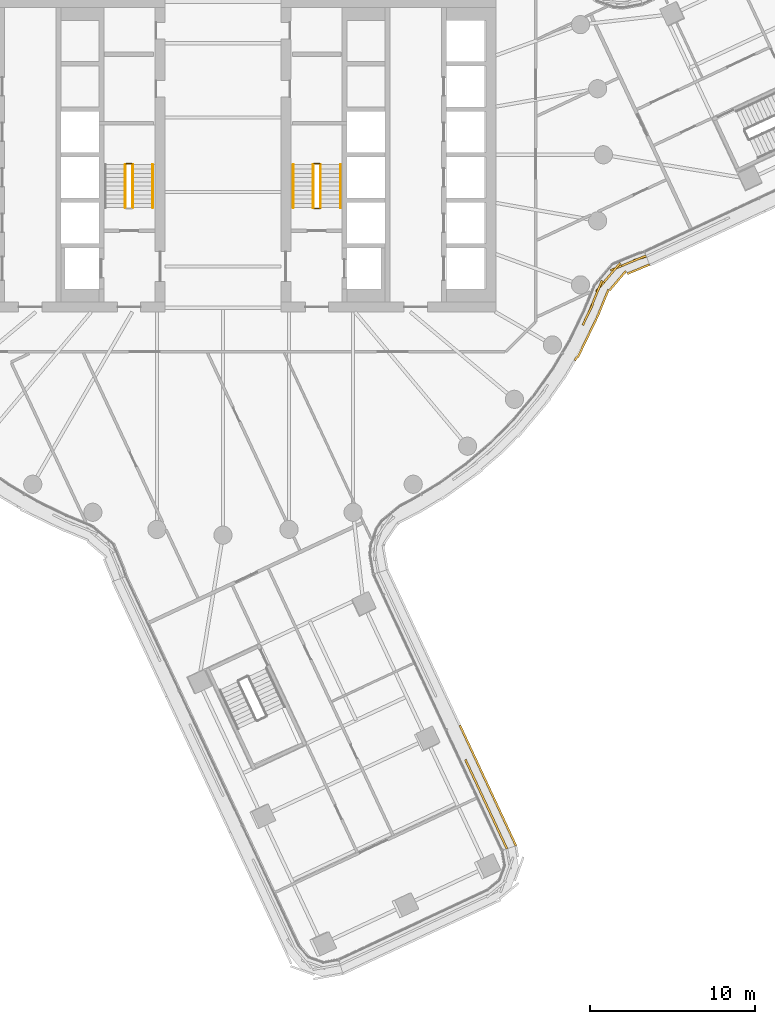
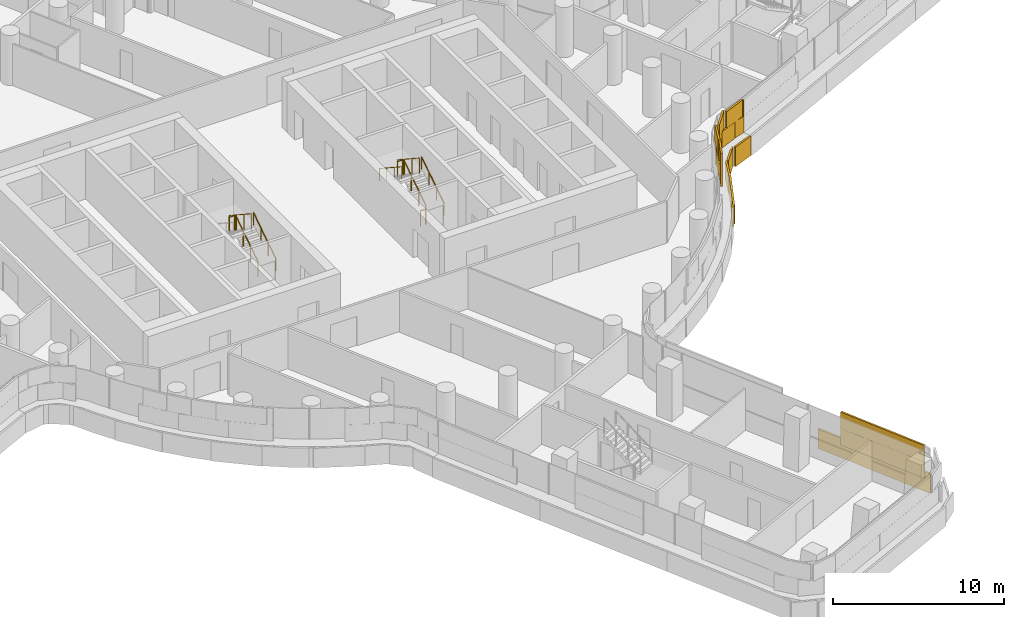
# One storey, part 32 of 36: 10 railings, 2 coverings.
"""IFC4 building model written with IfcOpenShell, lengths in metres."""

from ifc_helpers import new_model, si_unit, direction, frame, origin, origin_2d, place, context, subcontext, project, spatial, rectangle, circle, extrude, material, layer, layer_set, type_object, element, save


model = new_model("IFC4")

# Units and contexts
model_context = context("Model", 3, precision=1e-05, world=origin(), true_north=direction((0.0, 1.0)))
body_context = subcontext(model_context, "Body", "Model", "MODEL_VIEW")
ifc_project = project(units=[si_unit("LENGTHUNIT", "METRE"), si_unit("AREAUNIT", "SQUARE_METRE"), si_unit("VOLUMEUNIT", "CUBIC_METRE"), si_unit("PLANEANGLEUNIT", "RADIAN"), si_unit("MASSUNIT", "GRAM", prefix="KILO")], contexts=[model_context])

# Site, building, storey
site_placement = place(None, origin())
site = spatial("IfcSite", under=ifc_project, at=site_placement, CompositionType="ELEMENT")
building_placement = place(site_placement, origin())
building = spatial("IfcBuilding", under=site, at=building_placement, Name="Tamarind Cross Interchange Tower", CompositionType="ELEMENT")
storey_placement = place(building_placement, frame((0.0, 0.0, 124.75)))
storey = spatial("IfcBuildingStorey", under=building, at=storey_placement, Name="L30", CompositionType="ELEMENT", Elevation=124.75)

# Railings
ifc_material_1 = material(Name="Stair guard")
railing_type_1 = type_object("IfcRailingType", Name="Stair guard", PredefinedType="GUARDRAIL", material=ifc_material_1)
railing_1_placement = place(storey_placement, frame((-5.449951171875, -3.199951171875, 0.17041015625)))
element("IfcRailing", 1, at=railing_1_placement, inside=storey, type_object=railing_type_1, Name="L30 ST1 stair guard 1", PredefinedType="GUARDRAIL", context=body_context, shape_type="SweptSolid", body=[
    extrude(circle(Radius=0.02392578125, at=origin_2d()), frame((0.0, 0.0, 1.076171875), z_axis=(0.0, 0.836278606002, 0.548304744775), x_axis=(-1.0, 0.0, 0.0)), (0.0, 0.0, 1.0), 3.10888671875),
    extrude(circle(Radius=0.02099609375, at=origin_2d()), origin(), (0.0, 0.0, 1.0), 1.052001953125),
    extrude(circle(Radius=0.02099609375, at=origin_2d()), frame((0.0, 0.86669921875, 0.568115234375)), (0.0, 0.0, 1.0), 1.052001953125),
    extrude(circle(Radius=0.02099609375, at=origin_2d()), frame((0.0, 1.733154296875, 1.136474609375)), (0.0, 0.0, 1.0), 1.052001953125),
    extrude(circle(Radius=0.02099609375, at=origin_2d()), frame((0.0, 2.599853515625, 1.70458984375)), (0.0, 0.0, 1.0), 1.052001953125),
])
railing_2_placement = place(storey_placement, frame((-5.5, -0.550048828125, 1.875)))
element("IfcRailing", 2, at=railing_2_placement, inside=storey, type_object=railing_type_1, Name="L30 ST1 stair guard 2", PredefinedType="GUARDRAIL", context=body_context, shape_type="SweptSolid", body=[
    extrude(circle(Radius=0.02392578125, at=origin_2d()), frame((0.0, 0.0, 1.076171875), z_axis=(-1.0, 0.0, 0.0), x_axis=(0.0, -1.0, 0.0)), (0.0, 0.0, 1.0), 0.35009765625),
    extrude(circle(Radius=0.02099609375, at=origin_2d()), origin(), (0.0, 0.0, 1.0), 1.052001953125),
    extrude(circle(Radius=0.02099609375, at=origin_2d()), frame((-0.35009765625, 0.0, 0.0)), (0.0, 0.0, 1.0), 1.052001953125),
])
railing_3_placement = place(storey_placement, frame((-5.89990234375, -0.60009765625, 2.04541015625)))
element("IfcRailing", 3, at=railing_3_placement, inside=storey, type_object=railing_type_1, Name="L30 ST1 stair guard 3", PredefinedType="GUARDRAIL", context=body_context, shape_type="SweptSolid", body=[
    extrude(circle(Radius=0.02392578125, at=origin_2d()), frame((0.0, 0.0, 1.076171875), z_axis=(0.0, -0.836278606002, 0.548304744775), x_axis=(1.0, 0.0, 0.0)), (0.0, 0.0, 1.0), 3.10888671875),
    extrude(circle(Radius=0.02099609375, at=origin_2d()), origin(), (0.0, 0.0, 1.0), 1.052001953125),
    extrude(circle(Radius=0.02099609375, at=origin_2d()), frame((0.0, -0.86669921875, 0.568115234375)), (0.0, 0.0, 1.0), 1.052001953125),
    extrude(circle(Radius=0.02099609375, at=origin_2d()), frame((0.0, -1.733154296875, 1.136474609375)), (0.0, 0.0, 1.0), 1.052001953125),
    extrude(circle(Radius=0.02099609375, at=origin_2d()), frame((0.0, -2.599853515625, 1.70458984375)), (0.0, 0.0, 1.0), 1.052001953125),
])
railing_4_placement = place(storey_placement, frame((5.89990234375, -3.199951171875, 0.17041015625)))
element("IfcRailing", 4, at=railing_4_placement, inside=storey, type_object=railing_type_1, Name="L30 ST2 stair guard 1", PredefinedType="GUARDRAIL", context=body_context, shape_type="SweptSolid", body=[
    extrude(circle(Radius=0.02392578125, at=origin_2d()), frame((0.0, 0.0, 1.076171875), z_axis=(0.0, 0.836278606002, 0.548304744775), x_axis=(-1.0, 0.0, 0.0)), (0.0, 0.0, 1.0), 3.10888671875),
    extrude(circle(Radius=0.02099609375, at=origin_2d()), origin(), (0.0, 0.0, 1.0), 1.052001953125),
    extrude(circle(Radius=0.02099609375, at=origin_2d()), frame((0.0, 0.86669921875, 0.568115234375)), (0.0, 0.0, 1.0), 1.052001953125),
    extrude(circle(Radius=0.02099609375, at=origin_2d()), frame((0.0, 1.733154296875, 1.136474609375)), (0.0, 0.0, 1.0), 1.052001953125),
    extrude(circle(Radius=0.02099609375, at=origin_2d()), frame((0.0, 2.599853515625, 1.70458984375)), (0.0, 0.0, 1.0), 1.052001953125),
])
railing_5_placement = place(storey_placement, frame((5.85009765625, -0.550048828125, 1.875)))
element("IfcRailing", 5, at=railing_5_placement, inside=storey, type_object=railing_type_1, Name="L30 ST2 stair guard 2", PredefinedType="GUARDRAIL", context=body_context, shape_type="SweptSolid", body=[
    extrude(circle(Radius=0.02392578125, at=origin_2d()), frame((0.0, 0.0, 1.076171875), z_axis=(-1.0, 0.0, 0.0), x_axis=(0.0, -1.0, 0.0)), (0.0, 0.0, 1.0), 0.35009765625),
    extrude(circle(Radius=0.02099609375, at=origin_2d()), origin(), (0.0, 0.0, 1.0), 1.052001953125),
    extrude(circle(Radius=0.02099609375, at=origin_2d()), frame((-0.35009765625, 0.0, 0.0)), (0.0, 0.0, 1.0), 1.052001953125),
])
railing_6_placement = place(storey_placement, frame((5.449951171875, -0.60009765625, 2.04541015625)))
element("IfcRailing", 6, at=railing_6_placement, inside=storey, type_object=railing_type_1, Name="L30 ST2 stair guard 3", PredefinedType="GUARDRAIL", context=body_context, shape_type="SweptSolid", body=[
    extrude(circle(Radius=0.02392578125, at=origin_2d()), frame((0.0, 0.0, 1.076171875), z_axis=(0.0, -0.836278606002, 0.548304744775), x_axis=(1.0, 0.0, 0.0)), (0.0, 0.0, 1.0), 3.10888671875),
    extrude(circle(Radius=0.02099609375, at=origin_2d()), origin(), (0.0, 0.0, 1.0), 1.052001953125),
    extrude(circle(Radius=0.02099609375, at=origin_2d()), frame((0.0, -0.86669921875, 0.568115234375)), (0.0, 0.0, 1.0), 1.052001953125),
    extrude(circle(Radius=0.02099609375, at=origin_2d()), frame((0.0, -1.733154296875, 1.136474609375)), (0.0, 0.0, 1.0), 1.052001953125),
    extrude(circle(Radius=0.02099609375, at=origin_2d()), frame((0.0, -2.599853515625, 1.70458984375)), (0.0, 0.0, 1.0), 1.052001953125),
])
railing_7_placement = place(storey_placement, frame((5.85009765625, -3.25, 0.0)))
element("IfcRailing", 7, at=railing_7_placement, inside=storey, type_object=railing_type_1, Name="L30 ST2 stair guard 4", PredefinedType="GUARDRAIL", context=body_context, shape_type="SweptSolid", body=[
    extrude(circle(Radius=0.02392578125, at=origin_2d()), frame((0.0, 0.0, 1.076171875), z_axis=(-1.0, 0.0, 0.0), x_axis=(0.0, -1.0, 0.0)), (0.0, 0.0, 1.0), 0.35009765625),
    extrude(circle(Radius=0.02099609375, at=origin_2d()), origin(), (0.0, 0.0, 1.0), 1.052001953125),
    extrude(circle(Radius=0.02099609375, at=origin_2d()), frame((-0.35009765625, 0.0, 0.0)), (0.0, 0.0, 1.0), 1.052001953125),
])
ifc_material_2 = material(Name="Stair handrail")
railing_type_2 = type_object("IfcRailingType", Name="Stair handrail", PredefinedType="HANDRAIL", material=ifc_material_2)
for number, where, name in (
    (8, (-4.25, -3.199951171875, 0.17041015625), "L30 ST1 stair handrail 1"),
    (9, (7.10009765625, -3.199951171875, 0.17041015625), "L30 ST2 stair handrail 1"),
):
    element("IfcRailing", number, at=place(storey_placement, frame(where)), inside=storey, type_object=railing_type_2, Name=name, PredefinedType="HANDRAIL", context=body_context, shape_type="SweptSolid", body=[
        extrude(circle(Radius=0.02392578125, at=origin_2d()), frame((0.0, 0.0, 0.8759765625), z_axis=(0.0, 0.836278606002, 0.548304744775), x_axis=(-1.0, 0.0, 0.0)), (0.0, 0.0, 1.0), 3.10888671875),
        extrude(circle(Radius=0.02099609375, at=origin_2d()), origin(), (0.0, 0.0, 1.0), 0.851806640625),
        extrude(circle(Radius=0.02099609375, at=origin_2d()), frame((0.0, 0.86669921875, 0.568115234375)), (0.0, 0.0, 1.0), 0.851806640625),
        extrude(circle(Radius=0.02099609375, at=origin_2d()), frame((0.0, 1.733154296875, 1.136474609375)), (0.0, 0.0, 1.0), 0.851806640625),
        extrude(circle(Radius=0.02099609375, at=origin_2d()), frame((0.0, 2.599853515625, 1.70458984375)), (0.0, 0.0, 1.0), 0.851806640625),
    ])
railing_8_placement = place(storey_placement, frame((4.25, -0.60009765625, 2.04541015625)))
element("IfcRailing", 10, at=railing_8_placement, inside=storey, type_object=railing_type_2, Name="L30 ST2 stair handrail 2", PredefinedType="HANDRAIL", context=body_context, shape_type="SweptSolid", body=[
    extrude(circle(Radius=0.02392578125, at=origin_2d()), frame((0.0, 0.0, 0.8759765625), z_axis=(0.0, -0.836278606002, 0.548304744775), x_axis=(1.0, 0.0, 0.0)), (0.0, 0.0, 1.0), 3.10888671875),
    extrude(circle(Radius=0.02099609375, at=origin_2d()), origin(), (0.0, 0.0, 1.0), 0.851806640625),
    extrude(circle(Radius=0.02099609375, at=origin_2d()), frame((0.0, -0.86669921875, 0.568115234375)), (0.0, 0.0, 1.0), 0.851806640625),
    extrude(circle(Radius=0.02099609375, at=origin_2d()), frame((0.0, -1.733154296875, 1.136474609375)), (0.0, 0.0, 1.0), 0.851806640625),
    extrude(circle(Radius=0.02099609375, at=origin_2d()), frame((0.0, -2.599853515625, 1.70458984375)), (0.0, 0.0, 1.0), 0.851806640625),
])

# Coverings
ifc_material_3 = material(Name="Terracotta", Category="masonry")
ifc_layer = layer(ifc_material_3, 0.1201171875)
ifc_layer_set = layer_set([ifc_layer], Name="Terracotta")
covering_type = type_object("IfcCoveringType", Name="Terracotta baguette screen unit", PredefinedType="MOLDING", material=ifc_layer_set)
covering_1_placement = place(storey_placement, origin())
element("IfcCovering", 11, at=covering_1_placement, inside=storey, type_object=covering_type, Name="SCR-L30-05-00", PredefinedType="MOLDING", context=body_context, shape_type="SweptSolid", body=[
    extrude(rectangle(XDim=1.510009765625, YDim=0.1201171875, at=origin_2d()), frame((16.846923828125, -41.272216796875, 1.404052734375), z_axis=(0.0, 0.0, 1.0), x_axis=(-0.422173554282, 0.906515024732, 0.0)), (0.0, 0.0, 1.0), 1.1669921875),
    extrude(rectangle(XDim=1.52001953125, YDim=0.1201171875, at=origin_2d()), frame((16.213623046875, -39.912353515625, 1.404052734375), z_axis=(0.0, 0.0, 1.0), x_axis=(-0.422173554282, 0.906515024732, 0.0)), (0.0, 0.0, 1.0), 1.1669921875),
    extrude(rectangle(XDim=1.52001953125, YDim=0.1201171875, at=origin_2d()), frame((15.580322265625, -38.552734375, 1.404052734375), z_axis=(0.0, 0.0, 1.0), x_axis=(-0.422173554282, 0.906515024732, 0.0)), (0.0, 0.0, 1.0), 1.1669921875),
    extrude(rectangle(XDim=1.44384765625, YDim=0.1201171875, at=origin_2d()), frame((14.9609375, -37.222900390625, 1.404052734375), z_axis=(0.0, 0.0, 1.0), x_axis=(-0.422173554282, 0.906515024732, 0.0)), (0.0, 0.0, 1.0), 1.1669921875),
    extrude(rectangle(XDim=0.760009765625, YDim=0.1201171875, at=origin_2d()), frame((17.005126953125, -41.612060546875, 2.5791015625), z_axis=(0.0, 0.0, 1.0), x_axis=(-0.422173554282, 0.906515024732, 0.0)), (0.0, 0.0, 1.0), 1.1669921875),
    extrude(rectangle(XDim=1.52001953125, YDim=0.1201171875, at=origin_2d()), frame((16.5302734375, -40.59228515625, 2.5791015625), z_axis=(0.0, 0.0, 1.0), x_axis=(-0.422173554282, 0.906515024732, 0.0)), (0.0, 0.0, 1.0), 1.1669921875),
    extrude(rectangle(XDim=1.52001953125, YDim=0.1201171875, at=origin_2d()), frame((15.89697265625, -39.232666015625, 2.5791015625), z_axis=(0.0, 0.0, 1.0), x_axis=(-0.422173554282, 0.906515024732, 0.0)), (0.0, 0.0, 1.0), 1.1669921875),
    extrude(rectangle(XDim=1.52001953125, YDim=0.1201171875, at=origin_2d()), frame((15.263671875, -37.872802734375, 2.5791015625), z_axis=(0.0, 0.0, 1.0), x_axis=(-0.422173554282, 0.906515024732, 0.0)), (0.0, 0.0, 1.0), 1.1669921875),
    extrude(rectangle(XDim=0.69384765625, YDim=0.1201171875, at=origin_2d()), frame((14.802734375, -36.883056640625, 2.5791015625), z_axis=(0.0, 0.0, 1.0), x_axis=(-0.422173554282, 0.906515024732, 0.0)), (0.0, 0.0, 1.0), 1.1669921875),
    extrude(rectangle(XDim=1.510009765625, YDim=0.1201171875, at=origin_2d()), frame((17.396728515625, -41.093505859375, 0.00390625), z_axis=(0.0, 0.0, 1.0), x_axis=(-0.422173554282, 0.906515024732, 0.0)), (0.0, 0.0, 1.0), 1.39208984375),
    extrude(rectangle(XDim=1.52001953125, YDim=0.1201171875, at=origin_2d()), frame((16.765625, -39.738037109375, 0.00390625), z_axis=(0.0, 0.0, 1.0), x_axis=(-0.422173554282, 0.906515024732, 0.0)), (0.0, 0.0, 1.0), 1.39208984375),
    extrude(rectangle(XDim=1.52001953125, YDim=0.1201171875, at=origin_2d()), frame((16.13232421875, -38.37841796875, 0.00390625), z_axis=(0.0, 0.0, 1.0), x_axis=(-0.422173554282, 0.906515024732, 0.0)), (0.0, 0.0, 1.0), 1.39208984375),
    extrude(rectangle(XDim=1.52001953125, YDim=0.1201171875, at=origin_2d()), frame((15.4990234375, -37.0185546875, 0.00390625), z_axis=(0.0, 0.0, 1.0), x_axis=(-0.422173554282, 0.906515024732, 0.0)), (0.0, 0.0, 1.0), 1.39208984375),
    extrude(rectangle(XDim=1.52001953125, YDim=0.1201171875, at=origin_2d()), frame((14.86572265625, -35.658935546875, 0.00390625), z_axis=(0.0, 0.0, 1.0), x_axis=(-0.422173554282, 0.906515024732, 0.0)), (0.0, 0.0, 1.0), 1.39208984375),
    extrude(rectangle(XDim=0.544189453125, YDim=0.1201171875, at=origin_2d()), frame((14.4384765625, -34.741455078125, 0.00390625), z_axis=(0.0, 0.0, 1.0), x_axis=(-0.422173554282, 0.906515024732, 0.0)), (0.0, 0.0, 1.0), 1.39208984375),
])
covering_2_placement = place(storey_placement, origin())
element("IfcCovering", 12, at=covering_2_placement, inside=storey, type_object=covering_type, Name="SCR-L30-06-01", PredefinedType="MOLDING", context=body_context, shape_type="SweptSolid", body=[
    extrude(rectangle(XDim=0.6796875, YDim=0.1201171875, at=origin_2d()), frame((21.900390625, -9.990478515625, 1.404052734375), z_axis=(0.0, 0.0, 1.0), x_axis=(0.435326231914, 0.900272776334, 0.0)), (0.0, 0.0, 1.0), 1.1669921875),
    extrude(rectangle(XDim=1.52001953125, YDim=0.1201171875, at=origin_2d()), frame((22.3388671875, -8.99853515625, 1.404052734375), z_axis=(0.0, 0.0, 1.0), x_axis=(0.381712134917, 0.924281259172, 0.0)), (0.0, 0.0, 1.0), 1.1669921875),
    extrude(rectangle(XDim=1.52001953125, YDim=0.1201171875, at=origin_2d()), frame((23.04248046875, -7.692138671875, 1.404052734375), z_axis=(0.0, 0.0, 1.0), x_axis=(0.648478940501, 0.761232595024, 0.0)), (0.0, 0.0, 1.0), 1.1669921875),
    extrude(rectangle(XDim=1.52001953125, YDim=0.1201171875, at=origin_2d()), frame((24.12744140625, -6.704833984375, 1.404052734375), z_axis=(0.0, 0.0, 1.0), x_axis=(0.923869232899, 0.382708296882, 0.0)), (0.0, 0.0, 1.0), 1.1669921875),
    extrude(rectangle(XDim=0.83251953125, YDim=0.1201171875, at=origin_2d()), frame((25.20361328125, -6.26953125, 1.404052734375), z_axis=(0.0, 0.0, 1.0), x_axis=(0.953321456782, 0.301957281813, 0.0)), (0.0, 0.0, 1.0), 1.1669921875),
    extrude(rectangle(XDim=1.4296875, YDim=0.1201171875, at=origin_2d()), frame((22.063720703125, -9.65283203125, 2.5791015625), z_axis=(0.0, 0.0, 1.0), x_axis=(0.435326231914, 0.900272776334, 0.0)), (0.0, 0.0, 1.0), 1.1669921875),
    extrude(rectangle(XDim=1.52001953125, YDim=0.1201171875, at=origin_2d()), frame((22.625244140625, -8.305419921875, 2.5791015625), z_axis=(0.0, 0.0, 1.0), x_axis=(0.381712134917, 0.924281259172, 0.0)), (0.0, 0.0, 1.0), 1.1669921875),
    extrude(rectangle(XDim=1.52001953125, YDim=0.1201171875, at=origin_2d()), frame((23.52880859375, -7.121337890625, 2.5791015625), z_axis=(0.0, 0.0, 1.0), x_axis=(0.648478940501, 0.761232595024, 0.0)), (0.0, 0.0, 1.0), 1.1669921875),
    extrude(rectangle(XDim=1.52001953125, YDim=0.1201171875, at=origin_2d()), frame((24.8203125, -6.417724609375, 2.5791015625), z_axis=(0.0, 0.0, 1.0), x_axis=(0.923869232899, 0.382708296882, 0.0)), (0.0, 0.0, 1.0), 1.1669921875),
    extrude(rectangle(XDim=0.08251953125, YDim=0.1201171875, at=origin_2d()), frame((25.56103515625, -6.15625, 2.5791015625), z_axis=(0.0, 0.0, 1.0), x_axis=(0.953321456782, 0.301957281813, 0.0)), (0.0, 0.0, 1.0), 1.1669921875),
    extrude(rectangle(XDim=0.26416015625, YDim=0.1201171875, at=origin_2d()), frame((21.337646484375, -12.3232421875, 0.00390625), z_axis=(0.0, 0.0, 1.0), x_axis=(0.508183308752, 0.861248933065, 0.0)), (0.0, 0.0, 1.0), 1.39208984375),
    extrude(rectangle(XDim=1.52001953125, YDim=0.1201171875, at=origin_2d()), frame((21.774658203125, -11.569091796875, 0.00390625), z_axis=(0.0, 0.0, 1.0), x_axis=(0.435326231914, 0.900272776334, 0.0)), (0.0, 0.0, 1.0), 1.39208984375),
    extrude(rectangle(XDim=1.52001953125, YDim=0.1201171875, at=origin_2d()), frame((22.427734375, -10.218505859375, 0.00390625), z_axis=(0.0, 0.0, 1.0), x_axis=(0.435326231914, 0.900272776334, 0.0)), (0.0, 0.0, 1.0), 1.39208984375),
    extrude(rectangle(XDim=1.52001953125, YDim=0.1201171875, at=origin_2d()), frame((23.024169921875, -8.843017578125, 0.00390625), z_axis=(0.0, 0.0, 1.0), x_axis=(0.381712134917, 0.924281259172, 0.0)), (0.0, 0.0, 1.0), 1.39208984375),
    extrude(rectangle(XDim=1.52001953125, YDim=0.1201171875, at=origin_2d()), frame((23.860107421875, -7.617431640625, 0.00390625), z_axis=(0.0, 0.0, 1.0), x_axis=(0.648478940501, 0.761232595024, 0.0)), (0.0, 0.0, 1.0), 1.39208984375),
    extrude(rectangle(XDim=1.45703125, YDim=0.1201171875, at=origin_2d()), frame((25.115966796875, -6.91650390625, 0.00390625), z_axis=(0.0, 0.0, 1.0), x_axis=(0.923869232899, 0.382708296882, 0.0)), (0.0, 0.0, 1.0), 1.39208984375),
])

save(model, "model.ifc")
